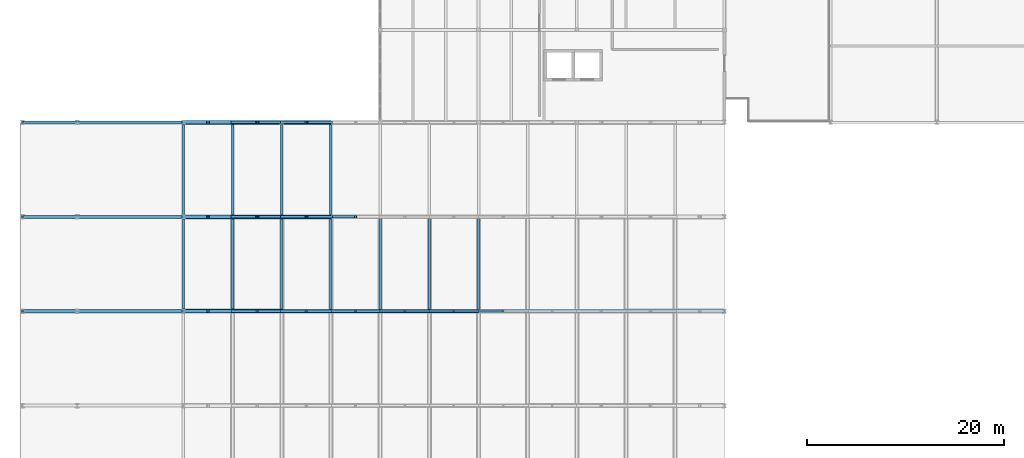
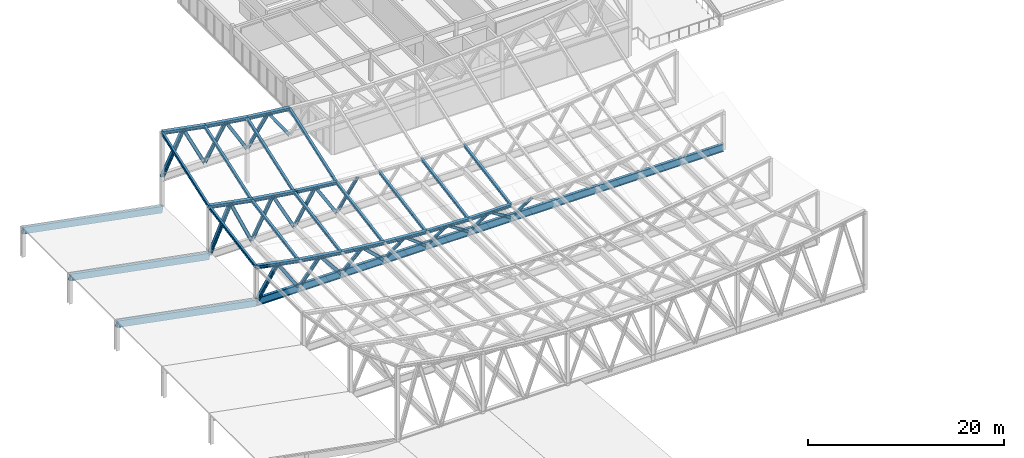
# One storey, part 10 of 40: 52 members, 1 beam, 1 element without a shape of its own.
"""IFC4 building model written with IfcOpenShell, lengths in metres."""

from ifc_helpers import new_model, si_unit, direction, frame, origin, origin_2d, place, context, subcontext, project, spatial, rectangle, i_section, extrude, material, material_profile, profile_set, type_object, element, aggregate, save


model = new_model("IFC4")

# Units and contexts
model_context = context("Model", 3, precision=1e-05, world=origin(), true_north=direction((0.0, 1.0)))
body_context = subcontext(model_context, "Body", "Model", "MODEL_VIEW")
ifc_project = project(units=[si_unit("LENGTHUNIT", "METRE"), si_unit("AREAUNIT", "SQUARE_METRE"), si_unit("VOLUMEUNIT", "CUBIC_METRE"), si_unit("PLANEANGLEUNIT", "RADIAN"), si_unit("MASSUNIT", "GRAM", prefix="KILO")], contexts=[model_context])

# Site, building, storey
site_placement = place(None, origin())
site = spatial("IfcSite", under=ifc_project, at=site_placement, CompositionType="ELEMENT")
building_placement = place(site_placement, origin())
building = spatial("IfcBuilding", under=site, at=building_placement, Name="Veldera Park Congress Hotel", CompositionType="ELEMENT")
storey_placement = place(building_placement, frame((0.0, 0.0, 16.199951171875)))
storey = spatial("IfcBuildingStorey", under=building, at=storey_placement, Name="L03", CompositionType="ELEMENT", Elevation=16.199951171875)

# Beam
ifc_material_1 = material(Name="Steel ASTM A992 Gr.50", Category="steel")
ifc_material_profile_1 = material_profile(ifc_material_1, i_section(OverallWidth=0.31005859375, OverallDepth=0.949951171875, WebThickness=0.0244140625, FlangeThickness=0.0439453125, at=origin_2d()), Name="W36X256")
ifc_profile_set_1 = profile_set([ifc_material_profile_1], Name="Steel ASTM A992 Gr.50")
beam_type = type_object("IfcBeamType", Name="BM-W36", PredefinedType="BEAM", material=ifc_profile_set_1)
beam_placement = place(storey_placement, frame((-67.39990234375, 7.800048828125, 0.25), z_axis=(1.0, 0.0, 0.0), x_axis=(0.0, 1.0, 0.0)))
element("IfcBeam", 1, at=beam_placement, inside=storey, type_object=beam_type, Name="Plenary Space Frame Main Bottom Tie Girder 4", PredefinedType="BEAM", context=body_context, shape_type="SweptSolid", body=[
    extrude(i_section(OverallWidth=0.31005859375, OverallDepth=0.949951171875, WebThickness=0.0244140625, FlangeThickness=0.0439453125, at=origin_2d()), origin(), (0.0, 0.0, 1.0), 55.0),
])

# Members
ifc_material_2 = material(Name="Glulam GL28h (NDS 24F-V4)", Category="wood")
ifc_material_profile_2 = material_profile(ifc_material_2, rectangle(XDim=0.31494140625, YDim=0.800048828125, at=origin_2d()), Name="GL28h 315x800")
ifc_profile_set_2 = profile_set([ifc_material_profile_2], Name="Glulam GL28h (NDS 24F-V4)")
member_type_1 = type_object("IfcMemberType", Name="RAF-GL760E", PredefinedType="RAFTER", material=ifc_profile_set_2)
for number, where, z_axis, x_axis, name in (
    (2, (-83.800048828125, 7.800048828125, 3.25), (0.982601714752, 0.0, -0.185725254517), (0.0, 1.0, 0.0), "Plenary West Canopy Rafter 4"),
    (3, (-83.800048828125, 17.39990234375, 3.25), (0.982601714752, 0.0, -0.185725254517), (0.0, 1.0, 0.0), "Plenary West Canopy Rafter 5"),
    (4, (-83.800048828125, 27.0, 3.25), (0.982601714752, 0.0, -0.185725254517), (0.0, 1.0, 0.0), "Plenary West Canopy Rafter 6"),
):
    element("IfcMember", number, at=place(storey_placement, frame(where, z_axis=z_axis, x_axis=x_axis)), inside=storey, type_object=member_type_1, Name=name, PredefinedType="RAFTER", context=body_context, shape_type="SweptSolid", body=[
        extrude(rectangle(XDim=0.31494140625, YDim=0.800048828125, at=origin_2d()), origin(), (0.0, 0.0, 1.0), 16.6904296875),
    ])

# Roof, members
ifc_material_3 = material(Name="Cross-laminated timber CLT V2M1.1", Category="wood")
roof_type = type_object("IfcRoofType", Name="ROOF-PAV", PredefinedType="PAVILION_ROOF", material=ifc_material_3)
roof_placement = place(storey_placement, origin())
roof = element("IfcRoof", 5, at=roof_placement, inside=storey, type_object=roof_type, Name="Plenary Congress Pavilion Sweeping Space Frame Roof", PredefinedType="PAVILION_ROOF")
ifc_material_profile_3 = material_profile(ifc_material_1, i_section(OverallWidth=0.3740234375, OverallDepth=0.3720703125, WebThickness=0.016357421875, FlangeThickness=0.026123046875, at=origin_2d()), Name="W14X132")
ifc_profile_set_3 = profile_set([ifc_material_profile_3], Name="Steel ASTM A992 Gr.50")
member_type_2 = type_object("IfcMemberType", Name="TR-CHD132", PredefinedType="CHORD", material=ifc_profile_set_3)
member_1_placement = place(storey_placement, frame((-47.39990234375, 7.800048828125, 1.968505859375), z_axis=(0.999315769236, 0.0, -0.036986394193), x_axis=(0.0, 1.0, 0.0)))
member_1 = element("IfcMember", 6, at=member_1_placement, type_object=member_type_2, Name="Plenary Roof Space Frame Top Chord 38", PredefinedType="CHORD", context=body_context, shape_type="SweptSolid", body=[
    extrude(i_section(OverallWidth=0.3740234375, OverallDepth=0.3720703125, WebThickness=0.016357421875, FlangeThickness=0.026123046875, at=origin_2d()), origin(), (0.0, 0.0, 1.0), 5.00341796875),
])
member_2_placement = place(storey_placement, frame((-42.39990234375, 7.800048828125, 1.783447265625), z_axis=(0.999999694824, 0.0, 0.000781249762), x_axis=(0.0, 1.0, 0.0)))
member_2 = element("IfcMember", 7, at=member_2_placement, type_object=member_type_2, Name="Plenary Roof Space Frame Top Chord 39", PredefinedType="CHORD", context=body_context, shape_type="SweptSolid", body=[
    extrude(i_section(OverallWidth=0.3740234375, OverallDepth=0.3720703125, WebThickness=0.016357421875, FlangeThickness=0.026123046875, at=origin_2d()), origin(), (0.0, 0.0, 1.0), 5.0),
])
ifc_material_profile_4 = material_profile(ifc_material_1, i_section(OverallWidth=0.39599609375, OverallDepth=0.381103515625, WebThickness=0.018798828125, FlangeThickness=0.0302734375, at=origin_2d()), Name="W14X159")
ifc_profile_set_4 = profile_set([ifc_material_profile_4], Name="Steel ASTM A992 Gr.50")
member_type_3 = type_object("IfcMemberType", Name="TR-CHD159", PredefinedType="CHORD", material=ifc_profile_set_4)
member_3_placement = place(storey_placement, frame((-52.39990234375, 7.800048828125, 2.342041015625), z_axis=(0.997221056601, 0.0, -0.074499424639), x_axis=(0.0, 1.0, 0.0)))
member_3 = element("IfcMember", 8, at=member_3_placement, type_object=member_type_3, Name="Plenary Roof Space Frame Top Chord 37", PredefinedType="CHORD", context=body_context, shape_type="SweptSolid", body=[
    extrude(i_section(OverallWidth=0.39599609375, OverallDepth=0.381103515625, WebThickness=0.018798828125, FlangeThickness=0.0302734375, at=origin_2d()), origin(), (0.0, 0.0, 1.0), 5.013916015625),
])
ifc_material_profile_5 = material_profile(ifc_material_1, i_section(OverallWidth=0.39697265625, OverallDepth=0.386962890625, WebThickness=0.02099609375, FlangeThickness=0.033203125, at=origin_2d()), Name="W14X176")
ifc_profile_set_5 = profile_set([ifc_material_profile_5], Name="Steel ASTM A992 Gr.50")
member_type_4 = type_object("IfcMemberType", Name="TR-CHD176", PredefinedType="CHORD", material=ifc_profile_set_5)
member_4_placement = place(storey_placement, frame((-57.39990234375, 7.800048828125, 2.904541015625), z_axis=(0.993731316159, 0.0, -0.111794773068), x_axis=(0.0, 1.0, 0.0)))
member_4 = element("IfcMember", 9, at=member_4_placement, type_object=member_type_4, Name="Plenary Roof Space Frame Top Chord 36", PredefinedType="CHORD", context=body_context, shape_type="SweptSolid", body=[
    extrude(i_section(OverallWidth=0.39697265625, OverallDepth=0.386962890625, WebThickness=0.02099609375, FlangeThickness=0.033203125, at=origin_2d()), origin(), (0.0, 0.0, 1.0), 5.031494140625),
])
member_5_placement = place(storey_placement, frame((-57.39990234375, 17.39990234375, 4.59814453125), z_axis=(0.993731316159, 0.0, -0.111794773068), x_axis=(0.0, 1.0, 0.0)))
member_5 = element("IfcMember", 10, at=member_5_placement, type_object=member_type_4, Name="Plenary Roof Space Frame Top Chord 47", PredefinedType="CHORD", context=body_context, shape_type="SweptSolid", body=[
    extrude(i_section(OverallWidth=0.39697265625, OverallDepth=0.386962890625, WebThickness=0.02099609375, FlangeThickness=0.033203125, at=origin_2d()), origin(), (0.0, 0.0, 1.0), 5.031494140625),
])
member_6_placement = place(storey_placement, frame((-57.39990234375, 27.0, 7.98486328125), z_axis=(0.993731316159, 0.0, -0.111794773068), x_axis=(0.0, 1.0, 0.0)))
member_6 = element("IfcMember", 11, at=member_6_placement, type_object=member_type_4, Name="Plenary Roof Space Frame Top Chord 58", PredefinedType="CHORD", context=body_context, shape_type="SweptSolid", body=[
    extrude(i_section(OverallWidth=0.39697265625, OverallDepth=0.386962890625, WebThickness=0.02099609375, FlangeThickness=0.033203125, at=origin_2d()), origin(), (0.0, 0.0, 1.0), 5.031494140625),
])
ifc_material_profile_6 = material_profile(ifc_material_1, i_section(OverallWidth=0.40087890625, OverallDepth=0.39892578125, WebThickness=0.02490234375, FlangeThickness=0.03955078125, at=origin_2d()), Name="W14X211")
ifc_profile_set_6 = profile_set([ifc_material_profile_6], Name="Steel ASTM A992 Gr.50")
member_type_5 = type_object("IfcMemberType", Name="TR-CHD211", PredefinedType="CHORD", material=ifc_profile_set_6)
member_7_placement = place(storey_placement, frame((-62.39990234375, 7.800048828125, 3.65576171875), z_axis=(0.988900906947, 0.0, -0.148576566927), x_axis=(0.0, 1.0, 0.0)))
member_7 = element("IfcMember", 12, at=member_7_placement, type_object=member_type_5, Name="Plenary Roof Space Frame Top Chord 35", PredefinedType="CHORD", context=body_context, shape_type="SweptSolid", body=[
    extrude(i_section(OverallWidth=0.40087890625, OverallDepth=0.39892578125, WebThickness=0.02490234375, FlangeThickness=0.03955078125, at=origin_2d()), origin(), (0.0, 0.0, 1.0), 5.05615234375),
])
member_8_placement = place(storey_placement, frame((-62.39990234375, 17.39990234375, 5.349365234375), z_axis=(0.988900906947, 0.0, -0.148576566927), x_axis=(0.0, 1.0, 0.0)))
member_8 = element("IfcMember", 13, at=member_8_placement, type_object=member_type_5, Name="Plenary Roof Space Frame Top Chord 46", PredefinedType="CHORD", context=body_context, shape_type="SweptSolid", body=[
    extrude(i_section(OverallWidth=0.40087890625, OverallDepth=0.39892578125, WebThickness=0.02490234375, FlangeThickness=0.03955078125, at=origin_2d()), origin(), (0.0, 0.0, 1.0), 5.05615234375),
])
member_9_placement = place(storey_placement, frame((-62.39990234375, 27.0, 8.736083984375), z_axis=(0.988900906947, 0.0, -0.148576566927), x_axis=(0.0, 1.0, 0.0)))
member_9 = element("IfcMember", 14, at=member_9_placement, type_object=member_type_5, Name="Plenary Roof Space Frame Top Chord 57", PredefinedType="CHORD", context=body_context, shape_type="SweptSolid", body=[
    extrude(i_section(OverallWidth=0.40087890625, OverallDepth=0.39892578125, WebThickness=0.02490234375, FlangeThickness=0.03955078125, at=origin_2d()), origin(), (0.0, 0.0, 1.0), 5.05615234375),
])
ifc_material_profile_7 = material_profile(ifc_material_1, i_section(OverallWidth=0.404052734375, OverallDepth=0.406982421875, WebThickness=0.027099609375, FlangeThickness=0.043701171875, at=origin_2d()), Name="W14X233")
ifc_profile_set_7 = profile_set([ifc_material_profile_7], Name="Steel ASTM A992 Gr.50")
member_type_6 = type_object("IfcMemberType", Name="TR-CHD233", PredefinedType="CHORD", material=ifc_profile_set_7)
member_10_placement = place(storey_placement, frame((-67.39990234375, 7.800048828125, 4.595703125), z_axis=(0.982785156753, 0.0, -0.184752092456), x_axis=(0.0, 1.0, 0.0)))
member_10 = element("IfcMember", 15, at=member_10_placement, type_object=member_type_6, Name="Plenary Roof Space Frame Top Chord 34", PredefinedType="CHORD", context=body_context, shape_type="SweptSolid", body=[
    extrude(i_section(OverallWidth=0.404052734375, OverallDepth=0.406982421875, WebThickness=0.027099609375, FlangeThickness=0.043701171875, at=origin_2d()), origin(), (0.0, 0.0, 1.0), 5.087646484375),
])
member_11_placement = place(storey_placement, frame((-67.39990234375, 17.39990234375, 6.2890625), z_axis=(0.982793868915, 0.0, -0.184705742258), x_axis=(0.0, 1.0, 0.0)))
member_11 = element("IfcMember", 16, at=member_11_placement, type_object=member_type_6, Name="Plenary Roof Space Frame Top Chord 45", PredefinedType="CHORD", context=body_context, shape_type="SweptSolid", body=[
    extrude(i_section(OverallWidth=0.404052734375, OverallDepth=0.406982421875, WebThickness=0.027099609375, FlangeThickness=0.043701171875, at=origin_2d()), origin(), (0.0, 0.0, 1.0), 5.087646484375),
])
member_12_placement = place(storey_placement, frame((-67.39990234375, 27.0, 9.676025390625), z_axis=(0.982785156753, 0.0, -0.184752092456), x_axis=(0.0, 1.0, 0.0)))
member_12 = element("IfcMember", 17, at=member_12_placement, type_object=member_type_6, Name="Plenary Roof Space Frame Top Chord 56", PredefinedType="CHORD", context=body_context, shape_type="SweptSolid", body=[
    extrude(i_section(OverallWidth=0.404052734375, OverallDepth=0.406982421875, WebThickness=0.027099609375, FlangeThickness=0.043701171875, at=origin_2d()), origin(), (0.0, 0.0, 1.0), 5.087646484375),
])
ifc_material_profile_8 = material_profile(ifc_material_1, i_section(OverallWidth=0.205078125, OverallDepth=0.31005859375, WebThickness=0.009521484375, FlangeThickness=0.016357421875, at=origin_2d()), Name="W12X50")
ifc_profile_set_8 = profile_set([ifc_material_profile_8], Name="Steel ASTM A992 Gr.50")
member_type_7 = type_object("IfcMemberType", Name="TR-WEB50", PredefinedType="MEMBER", material=ifc_profile_set_8)
member_13_placement = place(storey_placement, frame((-47.39990234375, 7.800048828125, 0.25), z_axis=(0.838293955121, 0.0, 0.545218529405), x_axis=(0.0, 1.0, 0.0)))
member_13 = element("IfcMember", 18, at=member_13_placement, type_object=member_type_7, Name="Plenary Roof Space Frame Web A 38", PredefinedType="MEMBER", context=body_context, shape_type="SweptSolid", body=[
    extrude(i_section(OverallWidth=0.205078125, OverallDepth=0.31005859375, WebThickness=0.009521484375, FlangeThickness=0.016357421875, at=origin_2d()), origin(), (0.0, 0.0, 1.0), 2.982177734375),
])
member_14_placement = place(storey_placement, frame((-42.39990234375, 7.800048828125, 0.25), z_axis=(-0.838293955121, 0.0, 0.545218529405), x_axis=(0.0, -1.0, 0.0)))
member_14 = element("IfcMember", 19, at=member_14_placement, type_object=member_type_7, Name="Plenary Roof Space Frame Web B 38", PredefinedType="MEMBER", context=body_context, shape_type="SweptSolid", body=[
    extrude(i_section(OverallWidth=0.205078125, OverallDepth=0.31005859375, WebThickness=0.009521484375, FlangeThickness=0.016357421875, at=origin_2d()), origin(), (0.0, 0.0, 1.0), 2.982177734375),
])
member_15_placement = place(storey_placement, frame((-42.39990234375, 7.800048828125, 0.25), z_axis=(0.852123699887, 0.0, 0.523340424667), x_axis=(0.0, 1.0, 0.0)))
member_15 = element("IfcMember", 20, at=member_15_placement, type_object=member_type_7, Name="Plenary Roof Space Frame Web A 39", PredefinedType="MEMBER", context=body_context, shape_type="SweptSolid", body=[
    extrude(i_section(OverallWidth=0.205078125, OverallDepth=0.31005859375, WebThickness=0.009521484375, FlangeThickness=0.016357421875, at=origin_2d()), origin(), (0.0, 0.0, 1.0), 2.933837890625),
])
member_16_placement = place(storey_placement, frame((-37.39990234375, 7.800048828125, 0.25), z_axis=(-0.852123699887, 0.0, 0.523340424667), x_axis=(0.0, -1.0, 0.0)))
member_16 = element("IfcMember", 21, at=member_16_placement, type_object=member_type_7, Name="Plenary Roof Space Frame Web B 39", PredefinedType="MEMBER", context=body_context, shape_type="SweptSolid", body=[
    extrude(i_section(OverallWidth=0.205078125, OverallDepth=0.31005859375, WebThickness=0.009521484375, FlangeThickness=0.016357421875, at=origin_2d()), origin(), (0.0, 0.0, 1.0), 2.933837890625),
])
member_17_placement = place(storey_placement, frame((-37.39990234375, 7.800048828125, 0.25), z_axis=(0.837133756726, 0.0, 0.546998238892), x_axis=(0.0, 1.0, 0.0)))
member_17 = element("IfcMember", 22, at=member_17_placement, type_object=member_type_7, Name="Plenary Roof Space Frame Web A 40", PredefinedType="MEMBER", context=body_context, shape_type="SweptSolid", body=[
    extrude(i_section(OverallWidth=0.205078125, OverallDepth=0.31005859375, WebThickness=0.009521484375, FlangeThickness=0.016357421875, at=origin_2d()), origin(), (0.0, 0.0, 1.0), 2.986328125),
])
ifc_material_profile_9 = material_profile(ifc_material_1, i_section(OverallWidth=0.25390625, OverallDepth=0.31005859375, WebThickness=0.009033203125, FlangeThickness=0.016357421875, at=origin_2d()), Name="W12X58")
ifc_profile_set_9 = profile_set([ifc_material_profile_9], Name="Steel ASTM A992 Gr.50")
member_type_8 = type_object("IfcMemberType", Name="TR-WEB58", PredefinedType="MEMBER", material=ifc_profile_set_9)
member_18_placement = place(storey_placement, frame((-52.39990234375, 7.800048828125, 0.25), z_axis=(0.795353262096, 0.0, 0.60614617748), x_axis=(0.0, 1.0, 0.0)))
member_18 = element("IfcMember", 23, at=member_18_placement, type_object=member_type_8, Name="Plenary Roof Space Frame Web A 37", PredefinedType="MEMBER", context=body_context, shape_type="SweptSolid", body=[
    extrude(i_section(OverallWidth=0.25390625, OverallDepth=0.31005859375, WebThickness=0.009033203125, FlangeThickness=0.016357421875, at=origin_2d()), origin(), (0.0, 0.0, 1.0), 3.143310546875),
])
member_19_placement = place(storey_placement, frame((-47.39990234375, 7.800048828125, 0.25), z_axis=(-0.795353262096, 0.0, 0.60614617748), x_axis=(0.0, -1.0, 0.0)))
member_19 = element("IfcMember", 24, at=member_19_placement, type_object=member_type_8, Name="Plenary Roof Space Frame Web B 37", PredefinedType="MEMBER", context=body_context, shape_type="SweptSolid", body=[
    extrude(i_section(OverallWidth=0.25390625, OverallDepth=0.31005859375, WebThickness=0.009033203125, FlangeThickness=0.016357421875, at=origin_2d()), origin(), (0.0, 0.0, 1.0), 3.143310546875),
])
member_20_placement = place(storey_placement, frame((-52.39990234375, 17.39990234375, 0.25), z_axis=(0.570541981426, 0.0, 0.821268438107), x_axis=(0.0, 1.0, 0.0)))
member_20 = element("IfcMember", 25, at=member_20_placement, type_object=member_type_8, Name="Plenary Roof Space Frame Web A 48", PredefinedType="MEMBER", context=body_context, shape_type="SweptSolid", body=[
    extrude(i_section(OverallWidth=0.25390625, OverallDepth=0.31005859375, WebThickness=0.009033203125, FlangeThickness=0.016357421875, at=origin_2d()), origin(), (0.0, 0.0, 1.0), 4.3818359375),
])
ifc_material_profile_10 = material_profile(ifc_material_1, i_section(OverallWidth=0.25390625, OverallDepth=0.35595703125, WebThickness=0.010498046875, FlangeThickness=0.018310546875, at=origin_2d()), Name="W14X68")
ifc_profile_set_10 = profile_set([ifc_material_profile_10], Name="Steel ASTM A992 Gr.50")
member_type_9 = type_object("IfcMemberType", Name="TR-WEB68", PredefinedType="MEMBER", material=ifc_profile_set_10)
member_21_placement = place(storey_placement, frame((-57.39990234375, 7.800048828125, 0.25), z_axis=(0.725246948163, 0.0, 0.688488826474), x_axis=(0.0, 1.0, 0.0)))
member_21 = element("IfcMember", 26, at=member_21_placement, type_object=member_type_9, Name="Plenary Roof Space Frame Web A 36", PredefinedType="MEMBER", context=body_context, shape_type="SweptSolid", body=[
    extrude(i_section(OverallWidth=0.25390625, OverallDepth=0.35595703125, WebThickness=0.010498046875, FlangeThickness=0.018310546875, at=origin_2d()), origin(), (0.0, 0.0, 1.0), 3.447021484375),
])
member_22_placement = place(storey_placement, frame((-52.39990234375, 7.800048828125, 0.25), z_axis=(-0.725246948163, 0.0, 0.688488826474), x_axis=(0.0, -1.0, 0.0)))
member_22 = element("IfcMember", 27, at=member_22_placement, type_object=member_type_9, Name="Plenary Roof Space Frame Web B 36", PredefinedType="MEMBER", context=body_context, shape_type="SweptSolid", body=[
    extrude(i_section(OverallWidth=0.25390625, OverallDepth=0.35595703125, WebThickness=0.010498046875, FlangeThickness=0.018310546875, at=origin_2d()), origin(), (0.0, 0.0, 1.0), 3.447021484375),
])
member_23_placement = place(storey_placement, frame((-57.39990234375, 17.39990234375, 0.25), z_axis=(0.523709295361, 0.0, 0.851897044221), x_axis=(0.0, 1.0, 0.0)))
member_23 = element("IfcMember", 28, at=member_23_placement, type_object=member_type_9, Name="Plenary Roof Space Frame Web A 47", PredefinedType="MEMBER", context=body_context, shape_type="SweptSolid", body=[
    extrude(i_section(OverallWidth=0.25390625, OverallDepth=0.35595703125, WebThickness=0.010498046875, FlangeThickness=0.018310546875, at=origin_2d()), origin(), (0.0, 0.0, 1.0), 4.773681640625),
])
member_24_placement = place(storey_placement, frame((-52.39990234375, 17.39990234375, 0.25), z_axis=(-0.523709295361, 0.0, 0.851897044221), x_axis=(0.0, -1.0, 0.0)))
member_24 = element("IfcMember", 29, at=member_24_placement, type_object=member_type_9, Name="Plenary Roof Space Frame Web B 47", PredefinedType="MEMBER", context=body_context, shape_type="SweptSolid", body=[
    extrude(i_section(OverallWidth=0.25390625, OverallDepth=0.35595703125, WebThickness=0.010498046875, FlangeThickness=0.018310546875, at=origin_2d()), origin(), (0.0, 0.0, 1.0), 4.773681640625),
])
member_25_placement = place(storey_placement, frame((-57.39990234375, 27.0, 4.150146484375), z_axis=(0.575402928873, 0.0, 0.81787008103), x_axis=(0.0, 1.0, 0.0)))
member_25 = element("IfcMember", 30, at=member_25_placement, type_object=member_type_9, Name="Plenary Roof Space Frame Web A 58", PredefinedType="MEMBER", context=body_context, shape_type="SweptSolid", body=[
    extrude(i_section(OverallWidth=0.25390625, OverallDepth=0.35595703125, WebThickness=0.010498046875, FlangeThickness=0.018310546875, at=origin_2d()), origin(), (0.0, 0.0, 1.0), 4.3447265625),
])
member_26_placement = place(storey_placement, frame((-52.39990234375, 27.0, 4.150146484375), z_axis=(-0.575402928873, 0.0, 0.81787008103), x_axis=(0.0, -1.0, 0.0)))
member_26 = element("IfcMember", 31, at=member_26_placement, type_object=member_type_9, Name="Plenary Roof Space Frame Web B 58", PredefinedType="MEMBER", context=body_context, shape_type="SweptSolid", body=[
    extrude(i_section(OverallWidth=0.25390625, OverallDepth=0.35595703125, WebThickness=0.010498046875, FlangeThickness=0.018310546875, at=origin_2d()), origin(), (0.0, 0.0, 1.0), 4.3447265625),
])
member_27_placement = place(storey_placement, frame((-67.39990234375, 7.800048828125, 4.595703125), z_axis=(0.0, 0.984796414822, 0.173712467465), x_axis=(-1.0, 0.0, 0.0)))
member_27 = element("IfcMember", 32, at=member_27_placement, type_object=member_type_9, Name="Plenary Space Frame Cross Chord 70", PredefinedType="MEMBER", context=body_context, shape_type="SweptSolid", body=[
    extrude(i_section(OverallWidth=0.25390625, OverallDepth=0.35595703125, WebThickness=0.010498046875, FlangeThickness=0.018310546875, at=origin_2d()), origin(), (0.0, 0.0, 1.0), 9.748046875),
])
member_28_placement = place(storey_placement, frame((-67.39990234375, 17.39990234375, 6.2890625), z_axis=(0.0, 0.943030616878, 0.332705959716), x_axis=(-1.0, 0.0, 0.0)))
member_28 = element("IfcMember", 33, at=member_28_placement, type_object=member_type_9, Name="Plenary Space Frame Cross Chord 71", PredefinedType="MEMBER", context=body_context, shape_type="SweptSolid", body=[
    extrude(i_section(OverallWidth=0.25390625, OverallDepth=0.35595703125, WebThickness=0.010498046875, FlangeThickness=0.018310546875, at=origin_2d()), origin(), (0.0, 0.0, 1.0), 10.179931640625),
])
member_29_placement = place(storey_placement, frame((-62.39990234375, 7.800048828125, 3.65576171875), z_axis=(0.0, 0.984792130049, 0.173736756597), x_axis=(-1.0, 0.0, 0.0)))
member_29 = element("IfcMember", 34, at=member_29_placement, type_object=member_type_9, Name="Plenary Space Frame Cross Chord 75", PredefinedType="MEMBER", context=body_context, shape_type="SweptSolid", body=[
    extrude(i_section(OverallWidth=0.25390625, OverallDepth=0.35595703125, WebThickness=0.010498046875, FlangeThickness=0.018310546875, at=origin_2d()), origin(), (0.0, 0.0, 1.0), 9.748046875),
])
member_30_placement = place(storey_placement, frame((-62.39990234375, 17.39990234375, 5.349365234375), z_axis=(0.0, 0.943038141178, 0.332684631871), x_axis=(-1.0, 0.0, 0.0)))
member_30 = element("IfcMember", 35, at=member_30_placement, type_object=member_type_9, Name="Plenary Space Frame Cross Chord 76", PredefinedType="MEMBER", context=body_context, shape_type="SweptSolid", body=[
    extrude(i_section(OverallWidth=0.25390625, OverallDepth=0.35595703125, WebThickness=0.010498046875, FlangeThickness=0.018310546875, at=origin_2d()), origin(), (0.0, 0.0, 1.0), 10.179931640625),
])
member_31_placement = place(storey_placement, frame((-57.39990234375, 7.800048828125, 2.904541015625), z_axis=(0.0, 0.984792130049, 0.173736756597), x_axis=(-1.0, 0.0, 0.0)))
member_31 = element("IfcMember", 36, at=member_31_placement, type_object=member_type_9, Name="Plenary Space Frame Cross Chord 80", PredefinedType="MEMBER", context=body_context, shape_type="SweptSolid", body=[
    extrude(i_section(OverallWidth=0.25390625, OverallDepth=0.35595703125, WebThickness=0.010498046875, FlangeThickness=0.018310546875, at=origin_2d()), origin(), (0.0, 0.0, 1.0), 9.748046875),
])
member_32_placement = place(storey_placement, frame((-57.39990234375, 17.39990234375, 4.59814453125), z_axis=(0.0, 0.943038141178, 0.332684631871), x_axis=(-1.0, 0.0, 0.0)))
member_32 = element("IfcMember", 37, at=member_32_placement, type_object=member_type_9, Name="Plenary Space Frame Cross Chord 81", PredefinedType="MEMBER", context=body_context, shape_type="SweptSolid", body=[
    extrude(i_section(OverallWidth=0.25390625, OverallDepth=0.35595703125, WebThickness=0.010498046875, FlangeThickness=0.018310546875, at=origin_2d()), origin(), (0.0, 0.0, 1.0), 10.179931640625),
])
member_33_placement = place(storey_placement, frame((-52.39990234375, 7.800048828125, 2.342041015625), z_axis=(0.0, 0.984792130049, 0.173736756597), x_axis=(-1.0, 0.0, 0.0)))
member_33 = element("IfcMember", 38, at=member_33_placement, type_object=member_type_9, Name="Plenary Space Frame Cross Chord 85", PredefinedType="MEMBER", context=body_context, shape_type="SweptSolid", body=[
    extrude(i_section(OverallWidth=0.25390625, OverallDepth=0.35595703125, WebThickness=0.010498046875, FlangeThickness=0.018310546875, at=origin_2d()), origin(), (0.0, 0.0, 1.0), 9.748046875),
])
member_34_placement = place(storey_placement, frame((-52.39990234375, 17.39990234375, 4.03564453125), z_axis=(0.0, 0.943038141178, 0.332684631871), x_axis=(-1.0, 0.0, 0.0)))
member_34 = element("IfcMember", 39, at=member_34_placement, type_object=member_type_9, Name="Plenary Space Frame Cross Chord 86", PredefinedType="MEMBER", context=body_context, shape_type="SweptSolid", body=[
    extrude(i_section(OverallWidth=0.25390625, OverallDepth=0.35595703125, WebThickness=0.010498046875, FlangeThickness=0.018310546875, at=origin_2d()), origin(), (0.0, 0.0, 1.0), 10.179931640625),
])
member_35_placement = place(storey_placement, frame((-47.39990234375, 7.800048828125, 1.968505859375), z_axis=(0.0, 0.984796414822, 0.173712467465), x_axis=(-1.0, 0.0, 0.0)))
member_35 = element("IfcMember", 40, at=member_35_placement, type_object=member_type_9, Name="Plenary Space Frame Cross Chord 90", PredefinedType="MEMBER", context=body_context, shape_type="SweptSolid", body=[
    extrude(i_section(OverallWidth=0.25390625, OverallDepth=0.35595703125, WebThickness=0.010498046875, FlangeThickness=0.018310546875, at=origin_2d()), origin(), (0.0, 0.0, 1.0), 9.748046875),
])
member_36_placement = place(storey_placement, frame((-42.39990234375, 7.800048828125, 1.783447265625), z_axis=(0.0, 0.984792130049, 0.173736756597), x_axis=(-1.0, 0.0, 0.0)))
member_36 = element("IfcMember", 41, at=member_36_placement, type_object=member_type_9, Name="Plenary Space Frame Cross Chord 95", PredefinedType="MEMBER", context=body_context, shape_type="SweptSolid", body=[
    extrude(i_section(OverallWidth=0.25390625, OverallDepth=0.35595703125, WebThickness=0.010498046875, FlangeThickness=0.018310546875, at=origin_2d()), origin(), (0.0, 0.0, 1.0), 9.748046875),
])
member_37_placement = place(storey_placement, frame((-37.39990234375, 7.800048828125, 1.787353515625), z_axis=(0.0, 0.984796414822, 0.173712467465), x_axis=(-1.0, 0.0, 0.0)))
member_37 = element("IfcMember", 42, at=member_37_placement, type_object=member_type_9, Name="Plenary Space Frame Cross Chord 100", PredefinedType="MEMBER", context=body_context, shape_type="SweptSolid", body=[
    extrude(i_section(OverallWidth=0.25390625, OverallDepth=0.35595703125, WebThickness=0.010498046875, FlangeThickness=0.018310546875, at=origin_2d()), origin(), (0.0, 0.0, 1.0), 9.748046875),
])
ifc_material_profile_11 = material_profile(ifc_material_1, i_section(OverallWidth=0.257080078125, OverallDepth=0.363037109375, WebThickness=0.012939453125, FlangeThickness=0.021728515625, at=origin_2d()), Name="W14X82")
ifc_profile_set_11 = profile_set([ifc_material_profile_11], Name="Steel ASTM A992 Gr.50")
member_type_10 = type_object("IfcMemberType", Name="TR-WEB82", PredefinedType="MEMBER", material=ifc_profile_set_11)
member_38_placement = place(storey_placement, frame((-62.39990234375, 7.800048828125, 0.25), z_axis=(0.636417161001, 0.0, 0.771345057146), x_axis=(0.0, 1.0, 0.0)))
member_38 = element("IfcMember", 43, at=member_38_placement, type_object=member_type_10, Name="Plenary Roof Space Frame Web A 35", PredefinedType="MEMBER", context=body_context, shape_type="SweptSolid", body=[
    extrude(i_section(OverallWidth=0.257080078125, OverallDepth=0.363037109375, WebThickness=0.012939453125, FlangeThickness=0.021728515625, at=origin_2d()), origin(), (0.0, 0.0, 1.0), 3.92822265625),
])
member_39_placement = place(storey_placement, frame((-57.39990234375, 7.800048828125, 0.25), z_axis=(-0.636417161001, 0.0, 0.771345057146), x_axis=(0.0, -1.0, 0.0)))
member_39 = element("IfcMember", 44, at=member_39_placement, type_object=member_type_10, Name="Plenary Roof Space Frame Web B 35", PredefinedType="MEMBER", context=body_context, shape_type="SweptSolid", body=[
    extrude(i_section(OverallWidth=0.257080078125, OverallDepth=0.363037109375, WebThickness=0.012939453125, FlangeThickness=0.021728515625, at=origin_2d()), origin(), (0.0, 0.0, 1.0), 3.92822265625),
])
member_40_placement = place(storey_placement, frame((-62.39990234375, 17.39990234375, 0.25), z_axis=(0.467778575102, 0.0, 0.883845690534), x_axis=(0.0, 1.0, 0.0)))
member_40 = element("IfcMember", 45, at=member_40_placement, type_object=member_type_10, Name="Plenary Roof Space Frame Web A 46", PredefinedType="MEMBER", context=body_context, shape_type="SweptSolid", body=[
    extrude(i_section(OverallWidth=0.257080078125, OverallDepth=0.363037109375, WebThickness=0.012939453125, FlangeThickness=0.021728515625, at=origin_2d()), origin(), (0.0, 0.0, 1.0), 5.344482421875),
])
member_41_placement = place(storey_placement, frame((-57.39990234375, 17.39990234375, 0.25), z_axis=(-0.467778575102, 0.0, 0.883845690534), x_axis=(0.0, -1.0, 0.0)))
member_41 = element("IfcMember", 46, at=member_41_placement, type_object=member_type_10, Name="Plenary Roof Space Frame Web B 46", PredefinedType="MEMBER", context=body_context, shape_type="SweptSolid", body=[
    extrude(i_section(OverallWidth=0.257080078125, OverallDepth=0.363037109375, WebThickness=0.012939453125, FlangeThickness=0.021728515625, at=origin_2d()), origin(), (0.0, 0.0, 1.0), 5.344482421875),
])
member_42_placement = place(storey_placement, frame((-62.39990234375, 27.0, 4.150146484375), z_axis=(0.510567553934, 0.0, 0.85983764332), x_axis=(0.0, 1.0, 0.0)))
member_42 = element("IfcMember", 47, at=member_42_placement, type_object=member_type_10, Name="Plenary Roof Space Frame Web A 57", PredefinedType="MEMBER", context=body_context, shape_type="SweptSolid", body=[
    extrude(i_section(OverallWidth=0.257080078125, OverallDepth=0.363037109375, WebThickness=0.012939453125, FlangeThickness=0.021728515625, at=origin_2d()), origin(), (0.0, 0.0, 1.0), 4.896484375),
])
member_43_placement = place(storey_placement, frame((-57.39990234375, 27.0, 4.150146484375), z_axis=(-0.510567553934, 0.0, 0.85983764332), x_axis=(0.0, -1.0, 0.0)))
member_43 = element("IfcMember", 48, at=member_43_placement, type_object=member_type_10, Name="Plenary Roof Space Frame Web B 57", PredefinedType="MEMBER", context=body_context, shape_type="SweptSolid", body=[
    extrude(i_section(OverallWidth=0.257080078125, OverallDepth=0.363037109375, WebThickness=0.012939453125, FlangeThickness=0.021728515625, at=origin_2d()), origin(), (0.0, 0.0, 1.0), 4.896484375),
])
ifc_material_profile_12 = material_profile(ifc_material_1, i_section(OverallWidth=0.368896484375, OverallDepth=0.35595703125, WebThickness=0.01123046875, FlangeThickness=0.01806640625, at=origin_2d()), Name="W14X90")
ifc_profile_set_12 = profile_set([ifc_material_profile_12], Name="Steel ASTM A992 Gr.50")
member_type_11 = type_object("IfcMemberType", Name="TR-WEB90", PredefinedType="MEMBER", material=ifc_profile_set_12)
member_44_placement = place(storey_placement, frame((-67.39990234375, 7.800048828125, 0.25), z_axis=(0.542054524593, 0.0, 0.840343318155), x_axis=(0.0, 1.0, 0.0)))
member_44 = element("IfcMember", 49, at=member_44_placement, type_object=member_type_11, Name="Plenary Roof Space Frame Web A 34", PredefinedType="MEMBER", context=body_context, shape_type="SweptSolid", body=[
    extrude(i_section(OverallWidth=0.368896484375, OverallDepth=0.35595703125, WebThickness=0.01123046875, FlangeThickness=0.01806640625, at=origin_2d()), origin(), (0.0, 0.0, 1.0), 4.612060546875),
])
member_45_placement = place(storey_placement, frame((-62.39990234375, 7.800048828125, 0.25), z_axis=(-0.542054524593, 0.0, 0.840343318155), x_axis=(0.0, -1.0, 0.0)))
member_45 = element("IfcMember", 50, at=member_45_placement, type_object=member_type_11, Name="Plenary Roof Space Frame Web B 34", PredefinedType="MEMBER", context=body_context, shape_type="SweptSolid", body=[
    extrude(i_section(OverallWidth=0.368896484375, OverallDepth=0.35595703125, WebThickness=0.01123046875, FlangeThickness=0.01806640625, at=origin_2d()), origin(), (0.0, 0.0, 1.0), 4.612060546875),
])
member_46_placement = place(storey_placement, frame((-67.39990234375, 17.39990234375, 0.25), z_axis=(0.409534702113, 0.0, 0.912294540028), x_axis=(0.0, 1.0, 0.0)))
member_46 = element("IfcMember", 51, at=member_46_placement, type_object=member_type_11, Name="Plenary Roof Space Frame Web A 45", PredefinedType="MEMBER", context=body_context, shape_type="SweptSolid", body=[
    extrude(i_section(OverallWidth=0.368896484375, OverallDepth=0.35595703125, WebThickness=0.01123046875, FlangeThickness=0.01806640625, at=origin_2d()), origin(), (0.0, 0.0, 1.0), 6.1044921875),
])
member_47_placement = place(storey_placement, frame((-62.39990234375, 17.39990234375, 0.25), z_axis=(-0.409534702113, 0.0, 0.912294540028), x_axis=(0.0, -1.0, 0.0)))
member_47 = element("IfcMember", 52, at=member_47_placement, type_object=member_type_11, Name="Plenary Roof Space Frame Web B 45", PredefinedType="MEMBER", context=body_context, shape_type="SweptSolid", body=[
    extrude(i_section(OverallWidth=0.368896484375, OverallDepth=0.35595703125, WebThickness=0.01123046875, FlangeThickness=0.01806640625, at=origin_2d()), origin(), (0.0, 0.0, 1.0), 6.1044921875),
])
member_48_placement = place(storey_placement, frame((-67.39990234375, 27.0, 4.150146484375), z_axis=(0.443244243087, 0.0, 0.896400881844), x_axis=(0.0, 1.0, 0.0)))
member_48 = element("IfcMember", 53, at=member_48_placement, type_object=member_type_11, Name="Plenary Roof Space Frame Web A 56", PredefinedType="MEMBER", context=body_context, shape_type="SweptSolid", body=[
    extrude(i_section(OverallWidth=0.368896484375, OverallDepth=0.35595703125, WebThickness=0.01123046875, FlangeThickness=0.01806640625, at=origin_2d()), origin(), (0.0, 0.0, 1.0), 5.64013671875),
])
member_49_placement = place(storey_placement, frame((-62.39990234375, 27.0, 4.150146484375), z_axis=(-0.443244243087, 0.0, 0.896400881844), x_axis=(0.0, -1.0, 0.0)))
member_49 = element("IfcMember", 54, at=member_49_placement, type_object=member_type_11, Name="Plenary Roof Space Frame Web B 56", PredefinedType="MEMBER", context=body_context, shape_type="SweptSolid", body=[
    extrude(i_section(OverallWidth=0.368896484375, OverallDepth=0.35595703125, WebThickness=0.01123046875, FlangeThickness=0.01806640625, at=origin_2d()), origin(), (0.0, 0.0, 1.0), 5.64013671875),
])
aggregate(roof, [member_44, member_45, member_10, member_38, member_39, member_7, member_21, member_22, member_4, member_18, member_19, member_3, member_13, member_14, member_1, member_15, member_16, member_2, member_17, member_46, member_47, member_11, member_40, member_41, member_8, member_23, member_24, member_5, member_20, member_48, member_49, member_12, member_42, member_43, member_9, member_25, member_26, member_6, member_27, member_28, member_29, member_30, member_31, member_32, member_33, member_34, member_35, member_36, member_37])

save(model, "model.ifc")
